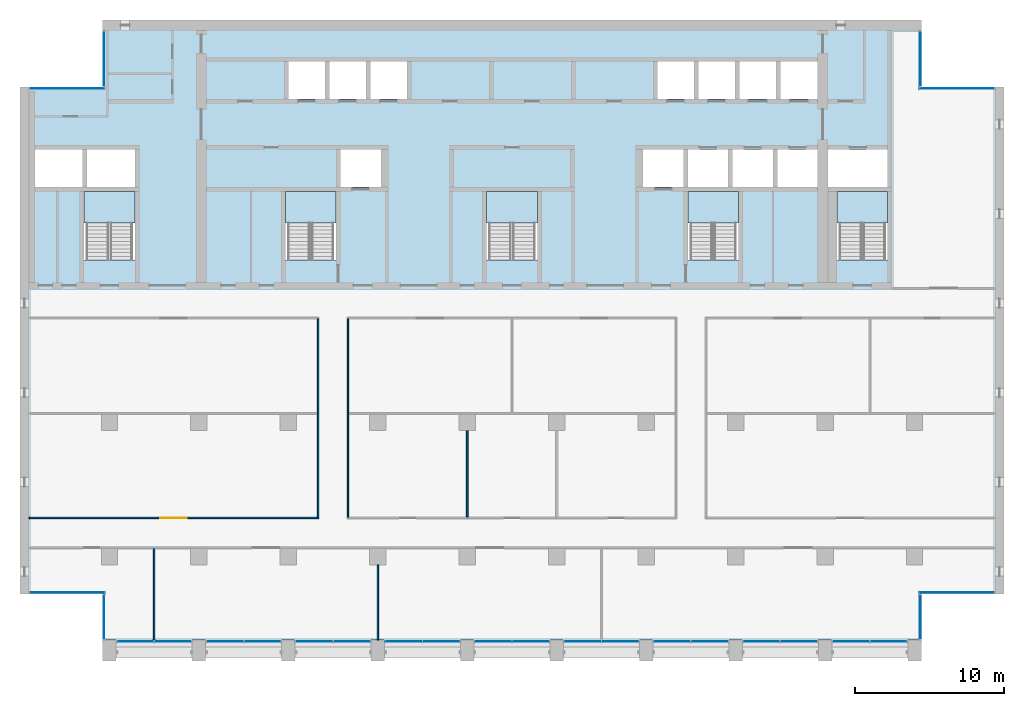
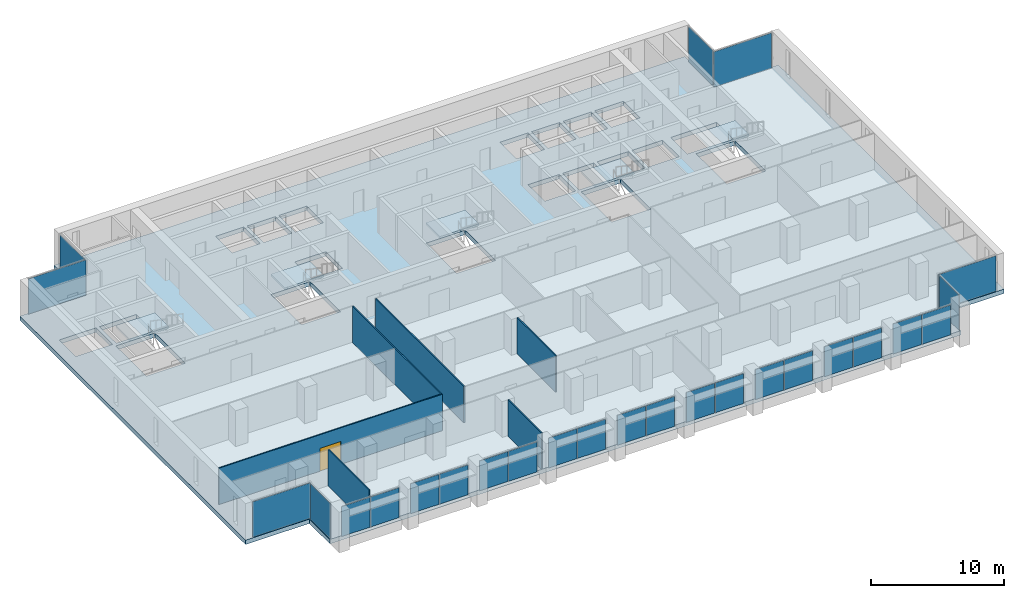
# One storey, part 7 of 17: 26 plates, 6 slabs, 6 walls, 1 door, 1 opening, 22 elements without a shape of their own.
"""IFC4 building model written with IfcOpenShell, lengths in metres."""

from ifc_helpers import new_model, si_unit, direction, frame, frame_2d, origin, origin_2d, place, context, subcontext, project, spatial, polyline, rectangle, outline, extrude, material, layer, layer_set, type_object, element, fill, aggregate, save


model = new_model("IFC4")

# Units and contexts
model_context = context("Model", 3, precision=1e-05, world=origin(), true_north=direction((0.0, 1.0)))
body_context = subcontext(model_context, "Body", "Model", "MODEL_VIEW")
ifc_project = project(units=[si_unit("LENGTHUNIT", "METRE"), si_unit("AREAUNIT", "SQUARE_METRE"), si_unit("VOLUMEUNIT", "CUBIC_METRE"), si_unit("PLANEANGLEUNIT", "RADIAN"), si_unit("MASSUNIT", "GRAM", prefix="KILO")], contexts=[model_context])

# Site, building, storey
site_placement = place(None, origin())
site = spatial("IfcSite", under=ifc_project, at=site_placement, CompositionType="ELEMENT")
building_placement = place(site_placement, origin())
building = spatial("IfcBuilding", under=site, at=building_placement, Name="Calvaro Tower", CompositionType="ELEMENT")
storey_placement = place(building_placement, frame((0.0, 0.0, 189.25)))
storey = spatial("IfcBuildingStorey", under=building, at=storey_placement, Name="L47", CompositionType="ELEMENT", Elevation=189.25)

# Slab
ifc_material_1 = material(Name="Concrete C40/50", Category="concrete")
ifc_layer_1 = layer(ifc_material_1, 0.39990234375)
ifc_layer_set_1 = layer_set([ifc_layer_1], Name="Concrete C40/50")
slab_type_1 = type_object("IfcSlabType", Name="Floor slab 400 C40/50", PredefinedType="FLOOR", material=ifc_layer_set_1)
slab_1_placement = place(storey_placement, frame((0.0, 0.0, -0.39990234375)))
element("IfcSlab", 1, at=slab_1_placement, inside=storey, type_object=slab_type_1, Name="Floor slab", PredefinedType="FLOOR", context=body_context, shape_type="SweptSolid", body=[
    extrude(outline(polyline([(66.449951171875, 7.5), (66.449951171875, 4.39990234375), (11.550048828125, 4.39990234375), (11.550048828125, 7.5), (6.0, 7.5), (6.0, 41.5), (11.550048828125, 41.5), (11.550048828125, 46.0), (66.449951171875, 46.0), (66.449951171875, 41.5), (72.0, 41.5), (72.0, 7.5), (66.449951171875, 7.5)]), holes=[polyline([(10.300048828125, 29.909912109375), (10.300048828125, 34.5), (12.0, 34.5), (13.699951171875, 34.5), (13.699951171875, 29.909912109375), (12.0, 29.909912109375), (10.300048828125, 29.909912109375)]), polyline([(23.800048828125, 29.909912109375), (23.800048828125, 34.5), (25.5, 34.5), (27.199951171875, 34.5), (27.199951171875, 29.909912109375), (25.5, 29.909912109375), (23.800048828125, 29.909912109375)]), polyline([(37.300048828125, 29.909912109375), (37.300048828125, 34.5), (39.0, 34.5), (40.699951171875, 34.5), (40.699951171875, 29.909912109375), (39.0, 29.909912109375), (37.300048828125, 29.909912109375)]), polyline([(50.800048828125, 29.909912109375), (50.800048828125, 34.5), (52.5, 34.5), (54.199951171875, 34.5), (54.199951171875, 29.909912109375), (52.5, 29.909912109375), (50.800048828125, 29.909912109375)]), polyline([(60.800048828125, 29.909912109375), (60.800048828125, 34.5), (62.5, 34.5), (64.199951171875, 34.5), (64.199951171875, 29.909912109375), (62.5, 29.909912109375), (60.800048828125, 29.909912109375)]), polyline([(50.800048828125, 34.800048828125), (53.5, 34.800048828125), (53.5, 37.300048828125), (50.800048828125, 37.300048828125), (50.800048828125, 34.800048828125)]), polyline([(53.800048828125, 34.800048828125), (56.5, 34.800048828125), (56.5, 37.300048828125), (53.800048828125, 37.300048828125), (53.800048828125, 34.800048828125)]), polyline([(56.800048828125, 34.800048828125), (59.5, 34.800048828125), (59.5, 37.300048828125), (56.800048828125, 37.300048828125), (56.800048828125, 34.800048828125)]), polyline([(24.0, 40.699951171875), (26.449951171875, 40.699951171875), (26.449951171875, 43.199951171875), (24.0, 43.199951171875), (24.0, 40.699951171875)]), polyline([(26.75, 40.699951171875), (29.199951171875, 40.699951171875), (29.199951171875, 43.199951171875), (26.75, 43.199951171875), (26.75, 40.699951171875)]), polyline([(29.5, 40.699951171875), (31.949951171875, 40.699951171875), (31.949951171875, 43.199951171875), (29.5, 43.199951171875), (29.5, 40.699951171875)]), polyline([(48.75, 40.699951171875), (51.199951171875, 40.699951171875), (51.199951171875, 43.199951171875), (48.75, 43.199951171875), (48.75, 40.699951171875)]), polyline([(51.5, 40.699951171875), (53.949951171875, 40.699951171875), (53.949951171875, 43.199951171875), (51.5, 43.199951171875), (51.5, 40.699951171875)]), polyline([(54.25, 40.699951171875), (56.699951171875, 40.699951171875), (56.699951171875, 43.199951171875), (54.25, 43.199951171875), (54.25, 40.699951171875)]), polyline([(57.0, 40.699951171875), (59.5, 40.699951171875), (59.5, 43.199951171875), (57.0, 43.199951171875), (57.0, 40.699951171875)]), polyline([(7.0, 34.800048828125), (10.199951171875, 34.800048828125), (10.199951171875, 37.300048828125), (7.0, 37.300048828125), (7.0, 34.800048828125)]), polyline([(10.5, 34.800048828125), (13.699951171875, 34.800048828125), (13.699951171875, 37.300048828125), (10.5, 37.300048828125), (10.5, 34.800048828125)]), polyline([(60.199951171875, 34.800048828125), (64.199951171875, 34.800048828125), (64.199951171875, 37.300048828125), (60.199951171875, 37.300048828125), (60.199951171875, 34.800048828125)]), polyline([(27.5, 34.800048828125), (30.199951171875, 34.800048828125), (30.199951171875, 37.300048828125), (27.5, 37.300048828125), (27.5, 34.800048828125)]), polyline([(47.800048828125, 34.800048828125), (50.5, 34.800048828125), (50.5, 37.300048828125), (47.800048828125, 37.300048828125), (47.800048828125, 34.800048828125)])]), origin(), (0.0, 0.0, 1.0), 0.39990234375),
])

# Curtain wall, plates
ifc_material_2 = material(Name="Anodised aluminium", Category="aluminium")
curtain_wall_type = type_object("IfcCurtainWallType", Name="Office curtain wall, upper zone", PredefinedType="NOTDEFINED", material=ifc_material_2)
curtain_wall_1_placement = place(storey_placement, origin())
curtain_wall_1 = element("IfcCurtainWall", 2, at=curtain_wall_1_placement, inside=storey, type_object=curtain_wall_type, Name="CW3 south curtain wall", PredefinedType="NOTDEFINED")
ifc_material_3 = material(Name="Glass", Category="glass")
ifc_layer_2 = layer(ifc_material_3, 0.035888671875)
ifc_layer_set_2 = layer_set([ifc_layer_2], Name="Glass")
plate_type = type_object("IfcPlateType", Name="Glass panel S3 36", PredefinedType="CURTAIN_PANEL", material=ifc_layer_set_2)
plate_1_placement = place(storey_placement, frame((13.739990234375, 4.31005859375, 0.0), z_axis=(0.0, 0.0, 1.0), x_axis=(1.0, 0.0, 0.0)))
plate_1 = element("IfcPlate", 3, at=plate_1_placement, type_object=plate_type, Name="CW3 glass panel 1.1", PredefinedType="CURTAIN_PANEL", context=body_context, shape_type="SweptSolid", body=[
    extrude(rectangle(XDim=2.4599609375, YDim=0.035888671875, at=origin_2d()), origin(), (0.0, 0.0, 1.0), 2.75),
])
plate_2_placement = place(storey_placement, frame((16.260009765625, 4.31005859375, 0.0), z_axis=(0.0, 0.0, 1.0), x_axis=(1.0, 0.0, 0.0)))
plate_2 = element("IfcPlate", 4, at=plate_2_placement, type_object=plate_type, Name="CW3 glass panel 2.1", PredefinedType="CURTAIN_PANEL", context=body_context, shape_type="SweptSolid", body=[
    extrude(rectangle(XDim=2.4599609375, YDim=0.035888671875, at=origin_2d()), origin(), (0.0, 0.0, 1.0), 2.75),
])
aggregate(curtain_wall_1, [plate_1, plate_2])

curtain_wall_2_placement = place(storey_placement, origin())
curtain_wall_2 = element("IfcCurtainWall", 5, at=curtain_wall_2_placement, inside=storey, type_object=curtain_wall_type, Name="CW3 south curtain wall", PredefinedType="NOTDEFINED")
plate_3_placement = place(storey_placement, frame((19.739990234375, 4.31005859375, 0.0), z_axis=(0.0, 0.0, 1.0), x_axis=(1.0, 0.0, 0.0)))
plate_3 = element("IfcPlate", 6, at=plate_3_placement, type_object=plate_type, Name="CW3 glass panel 1.1", PredefinedType="CURTAIN_PANEL", context=body_context, shape_type="SweptSolid", body=[
    extrude(rectangle(XDim=2.4599609375, YDim=0.035888671875, at=origin_2d()), origin(), (0.0, 0.0, 1.0), 2.75),
])
plate_4_placement = place(storey_placement, frame((22.260009765625, 4.31005859375, 0.0), z_axis=(0.0, 0.0, 1.0), x_axis=(1.0, 0.0, 0.0)))
plate_4 = element("IfcPlate", 7, at=plate_4_placement, type_object=plate_type, Name="CW3 glass panel 2.1", PredefinedType="CURTAIN_PANEL", context=body_context, shape_type="SweptSolid", body=[
    extrude(rectangle(XDim=2.4599609375, YDim=0.035888671875, at=origin_2d()), origin(), (0.0, 0.0, 1.0), 2.75),
])
aggregate(curtain_wall_2, [plate_3, plate_4])

curtain_wall_3_placement = place(storey_placement, origin())
curtain_wall_3 = element("IfcCurtainWall", 8, at=curtain_wall_3_placement, inside=storey, type_object=curtain_wall_type, Name="CW3 south curtain wall", PredefinedType="NOTDEFINED")
plate_5_placement = place(storey_placement, frame((25.739990234375, 4.31005859375, 0.0), z_axis=(0.0, 0.0, 1.0), x_axis=(1.0, 0.0, 0.0)))
plate_5 = element("IfcPlate", 9, at=plate_5_placement, type_object=plate_type, Name="CW3 glass panel 1.1", PredefinedType="CURTAIN_PANEL", context=body_context, shape_type="SweptSolid", body=[
    extrude(rectangle(XDim=2.4599609375, YDim=0.035888671875, at=origin_2d()), origin(), (0.0, 0.0, 1.0), 2.75),
])
plate_6_placement = place(storey_placement, frame((28.260009765625, 4.31005859375, 0.0), z_axis=(0.0, 0.0, 1.0), x_axis=(1.0, 0.0, 0.0)))
plate_6 = element("IfcPlate", 10, at=plate_6_placement, type_object=plate_type, Name="CW3 glass panel 2.1", PredefinedType="CURTAIN_PANEL", context=body_context, shape_type="SweptSolid", body=[
    extrude(rectangle(XDim=2.4599609375, YDim=0.035888671875, at=origin_2d()), origin(), (0.0, 0.0, 1.0), 2.75),
])
aggregate(curtain_wall_3, [plate_5, plate_6])

curtain_wall_4_placement = place(storey_placement, origin())
curtain_wall_4 = element("IfcCurtainWall", 11, at=curtain_wall_4_placement, inside=storey, type_object=curtain_wall_type, Name="CW3 south curtain wall", PredefinedType="NOTDEFINED")
plate_7_placement = place(storey_placement, frame((31.739990234375, 4.31005859375, 0.0), z_axis=(0.0, 0.0, 1.0), x_axis=(1.0, 0.0, 0.0)))
plate_7 = element("IfcPlate", 12, at=plate_7_placement, type_object=plate_type, Name="CW3 glass panel 1.1", PredefinedType="CURTAIN_PANEL", context=body_context, shape_type="SweptSolid", body=[
    extrude(rectangle(XDim=2.4599609375, YDim=0.035888671875, at=origin_2d()), origin(), (0.0, 0.0, 1.0), 2.75),
])
plate_8_placement = place(storey_placement, frame((34.260009765625, 4.31005859375, 0.0), z_axis=(0.0, 0.0, 1.0), x_axis=(1.0, 0.0, 0.0)))
plate_8 = element("IfcPlate", 13, at=plate_8_placement, type_object=plate_type, Name="CW3 glass panel 2.1", PredefinedType="CURTAIN_PANEL", context=body_context, shape_type="SweptSolid", body=[
    extrude(rectangle(XDim=2.4599609375, YDim=0.035888671875, at=origin_2d()), origin(), (0.0, 0.0, 1.0), 2.75),
])
aggregate(curtain_wall_4, [plate_7, plate_8])

curtain_wall_5_placement = place(storey_placement, origin())
curtain_wall_5 = element("IfcCurtainWall", 14, at=curtain_wall_5_placement, inside=storey, type_object=curtain_wall_type, Name="CW3 south curtain wall", PredefinedType="NOTDEFINED")
plate_9_placement = place(storey_placement, frame((37.739990234375, 4.31005859375, 0.0), z_axis=(0.0, 0.0, 1.0), x_axis=(1.0, 0.0, 0.0)))
plate_9 = element("IfcPlate", 15, at=plate_9_placement, type_object=plate_type, Name="CW3 glass panel 1.1", PredefinedType="CURTAIN_PANEL", context=body_context, shape_type="SweptSolid", body=[
    extrude(rectangle(XDim=2.4599609375, YDim=0.035888671875, at=origin_2d()), origin(), (0.0, 0.0, 1.0), 2.75),
])
plate_10_placement = place(storey_placement, frame((40.260009765625, 4.31005859375, 0.0), z_axis=(0.0, 0.0, 1.0), x_axis=(1.0, 0.0, 0.0)))
plate_10 = element("IfcPlate", 16, at=plate_10_placement, type_object=plate_type, Name="CW3 glass panel 2.1", PredefinedType="CURTAIN_PANEL", context=body_context, shape_type="SweptSolid", body=[
    extrude(rectangle(XDim=2.4599609375, YDim=0.035888671875, at=origin_2d()), origin(), (0.0, 0.0, 1.0), 2.75),
])
aggregate(curtain_wall_5, [plate_9, plate_10])

curtain_wall_6_placement = place(storey_placement, origin())
curtain_wall_6 = element("IfcCurtainWall", 17, at=curtain_wall_6_placement, inside=storey, type_object=curtain_wall_type, Name="CW3 south curtain wall", PredefinedType="NOTDEFINED")
plate_11_placement = place(storey_placement, frame((43.739990234375, 4.31005859375, 0.0), z_axis=(0.0, 0.0, 1.0), x_axis=(1.0, 0.0, 0.0)))
plate_11 = element("IfcPlate", 18, at=plate_11_placement, type_object=plate_type, Name="CW3 glass panel 1.1", PredefinedType="CURTAIN_PANEL", context=body_context, shape_type="SweptSolid", body=[
    extrude(rectangle(XDim=2.4599609375, YDim=0.035888671875, at=origin_2d()), origin(), (0.0, 0.0, 1.0), 2.75),
])
plate_12_placement = place(storey_placement, frame((46.260009765625, 4.31005859375, 0.0), z_axis=(0.0, 0.0, 1.0), x_axis=(1.0, 0.0, 0.0)))
plate_12 = element("IfcPlate", 19, at=plate_12_placement, type_object=plate_type, Name="CW3 glass panel 2.1", PredefinedType="CURTAIN_PANEL", context=body_context, shape_type="SweptSolid", body=[
    extrude(rectangle(XDim=2.4599609375, YDim=0.035888671875, at=origin_2d()), origin(), (0.0, 0.0, 1.0), 2.75),
])
aggregate(curtain_wall_6, [plate_11, plate_12])

curtain_wall_7_placement = place(storey_placement, origin())
curtain_wall_7 = element("IfcCurtainWall", 20, at=curtain_wall_7_placement, inside=storey, type_object=curtain_wall_type, Name="CW3 south curtain wall", PredefinedType="NOTDEFINED")
plate_13_placement = place(storey_placement, frame((49.739990234375, 4.31005859375, 0.0), z_axis=(0.0, 0.0, 1.0), x_axis=(1.0, 0.0, 0.0)))
plate_13 = element("IfcPlate", 21, at=plate_13_placement, type_object=plate_type, Name="CW3 glass panel 1.1", PredefinedType="CURTAIN_PANEL", context=body_context, shape_type="SweptSolid", body=[
    extrude(rectangle(XDim=2.4599609375, YDim=0.035888671875, at=origin_2d()), origin(), (0.0, 0.0, 1.0), 2.75),
])
plate_14_placement = place(storey_placement, frame((52.260009765625, 4.31005859375, 0.0), z_axis=(0.0, 0.0, 1.0), x_axis=(1.0, 0.0, 0.0)))
plate_14 = element("IfcPlate", 22, at=plate_14_placement, type_object=plate_type, Name="CW3 glass panel 2.1", PredefinedType="CURTAIN_PANEL", context=body_context, shape_type="SweptSolid", body=[
    extrude(rectangle(XDim=2.4599609375, YDim=0.035888671875, at=origin_2d()), origin(), (0.0, 0.0, 1.0), 2.75),
])
aggregate(curtain_wall_7, [plate_13, plate_14])

curtain_wall_8_placement = place(storey_placement, origin())
curtain_wall_8 = element("IfcCurtainWall", 23, at=curtain_wall_8_placement, inside=storey, type_object=curtain_wall_type, Name="CW3 south curtain wall", PredefinedType="NOTDEFINED")
plate_15_placement = place(storey_placement, frame((55.739990234375, 4.31005859375, 0.0), z_axis=(0.0, 0.0, 1.0), x_axis=(1.0, 0.0, 0.0)))
plate_15 = element("IfcPlate", 24, at=plate_15_placement, type_object=plate_type, Name="CW3 glass panel 1.1", PredefinedType="CURTAIN_PANEL", context=body_context, shape_type="SweptSolid", body=[
    extrude(rectangle(XDim=2.4599609375, YDim=0.035888671875, at=origin_2d()), origin(), (0.0, 0.0, 1.0), 2.75),
])
plate_16_placement = place(storey_placement, frame((58.260009765625, 4.31005859375, 0.0), z_axis=(0.0, 0.0, 1.0), x_axis=(1.0, 0.0, 0.0)))
plate_16 = element("IfcPlate", 25, at=plate_16_placement, type_object=plate_type, Name="CW3 glass panel 2.1", PredefinedType="CURTAIN_PANEL", context=body_context, shape_type="SweptSolid", body=[
    extrude(rectangle(XDim=2.4599609375, YDim=0.035888671875, at=origin_2d()), origin(), (0.0, 0.0, 1.0), 2.75),
])
aggregate(curtain_wall_8, [plate_15, plate_16])

curtain_wall_9_placement = place(storey_placement, origin())
curtain_wall_9 = element("IfcCurtainWall", 26, at=curtain_wall_9_placement, inside=storey, type_object=curtain_wall_type, Name="CW3 south curtain wall", PredefinedType="NOTDEFINED")
plate_17_placement = place(storey_placement, frame((61.739990234375, 4.31005859375, 0.0), z_axis=(0.0, 0.0, 1.0), x_axis=(1.0, 0.0, 0.0)))
plate_17 = element("IfcPlate", 27, at=plate_17_placement, type_object=plate_type, Name="CW3 glass panel 1.1", PredefinedType="CURTAIN_PANEL", context=body_context, shape_type="SweptSolid", body=[
    extrude(rectangle(XDim=2.4599609375, YDim=0.035888671875, at=origin_2d()), origin(), (0.0, 0.0, 1.0), 2.75),
])
plate_18_placement = place(storey_placement, frame((64.260009765625, 4.31005859375, 0.0), z_axis=(0.0, 0.0, 1.0), x_axis=(1.0, 0.0, 0.0)))
plate_18 = element("IfcPlate", 28, at=plate_18_placement, type_object=plate_type, Name="CW3 glass panel 2.1", PredefinedType="CURTAIN_PANEL", context=body_context, shape_type="SweptSolid", body=[
    extrude(rectangle(XDim=2.4599609375, YDim=0.035888671875, at=origin_2d()), origin(), (0.0, 0.0, 1.0), 2.75),
])
aggregate(curtain_wall_9, [plate_17, plate_18])

# Curtain wall, plate
curtain_wall_10_placement = place(storey_placement, origin())
curtain_wall_10 = element("IfcCurtainWall", 29, at=curtain_wall_10_placement, inside=storey, type_object=curtain_wall_type, Name="CW3 corner curtain wall", PredefinedType="NOTDEFINED")
plate_19_placement = place(storey_placement, frame((11.639892578125, 5.949951171875, 0.0), z_axis=(0.0, 0.0, 1.0), x_axis=(0.0, 1.0, 0.0)))
plate_19 = element("IfcPlate", 30, at=plate_19_placement, type_object=plate_type, Name="CW3 glass panel 1.1", PredefinedType="CURTAIN_PANEL", context=body_context, shape_type="SweptSolid", body=[
    extrude(rectangle(XDim=2.97998046875, YDim=0.035888671875, at=origin_2d()), origin(), (0.0, 0.0, 1.0), 3.25),
])
aggregate(curtain_wall_10, [plate_19])

curtain_wall_11_placement = place(storey_placement, origin())
curtain_wall_11 = element("IfcCurtainWall", 31, at=curtain_wall_11_placement, inside=storey, type_object=curtain_wall_type, Name="CW3 corner curtain wall", PredefinedType="NOTDEFINED")
plate_20_placement = place(storey_placement, frame((9.1650390625, 7.590087890625, 0.0), z_axis=(0.0, 0.0, 1.0), x_axis=(1.0, 0.0, 0.0)))
plate_20 = element("IfcPlate", 32, at=plate_20_placement, type_object=plate_type, Name="CW3 glass panel 1.1", PredefinedType="CURTAIN_PANEL", context=body_context, shape_type="SweptSolid", body=[
    extrude(rectangle(XDim=5.010009765625, YDim=0.035888671875, at=origin_2d()), origin(), (0.0, 0.0, 1.0), 3.25),
])
aggregate(curtain_wall_11, [plate_20])

curtain_wall_12_placement = place(storey_placement, origin())
curtain_wall_12 = element("IfcCurtainWall", 33, at=curtain_wall_12_placement, inside=storey, type_object=curtain_wall_type, Name="CW3 corner curtain wall", PredefinedType="NOTDEFINED")
plate_21_placement = place(storey_placement, frame((11.639892578125, 43.39990234375, 0.0), z_axis=(0.0, 0.0, 1.0), x_axis=(0.0, 1.0, 0.0)))
plate_21 = element("IfcPlate", 34, at=plate_21_placement, type_object=plate_type, Name="CW3 glass panel 1.1", PredefinedType="CURTAIN_PANEL", context=body_context, shape_type="SweptSolid", body=[
    extrude(rectangle(XDim=3.679931640625, YDim=0.035888671875, at=origin_2d()), origin(), (0.0, 0.0, 1.0), 3.25),
])
aggregate(curtain_wall_12, [plate_21])

curtain_wall_13_placement = place(storey_placement, origin())
curtain_wall_13 = element("IfcCurtainWall", 35, at=curtain_wall_13_placement, inside=storey, type_object=curtain_wall_type, Name="CW3 corner curtain wall", PredefinedType="NOTDEFINED")
plate_22_placement = place(storey_placement, frame((9.1650390625, 41.409912109375, 0.0), z_axis=(0.0, 0.0, 1.0), x_axis=(1.0, 0.0, 0.0)))
plate_22 = element("IfcPlate", 36, at=plate_22_placement, type_object=plate_type, Name="CW3 glass panel 1.1", PredefinedType="CURTAIN_PANEL", context=body_context, shape_type="SweptSolid", body=[
    extrude(rectangle(XDim=5.010009765625, YDim=0.035888671875, at=origin_2d()), origin(), (0.0, 0.0, 1.0), 3.25),
])
aggregate(curtain_wall_13, [plate_22])

curtain_wall_14_placement = place(storey_placement, origin())
curtain_wall_14 = element("IfcCurtainWall", 37, at=curtain_wall_14_placement, inside=storey, type_object=curtain_wall_type, Name="CW3 corner curtain wall", PredefinedType="NOTDEFINED")
plate_23_placement = place(storey_placement, frame((66.360107421875, 5.949951171875, 0.0), z_axis=(0.0, 0.0, 1.0), x_axis=(0.0, 1.0, 0.0)))
plate_23 = element("IfcPlate", 38, at=plate_23_placement, type_object=plate_type, Name="CW3 glass panel 1.1", PredefinedType="CURTAIN_PANEL", context=body_context, shape_type="SweptSolid", body=[
    extrude(rectangle(XDim=2.97998046875, YDim=0.035888671875, at=origin_2d()), origin(), (0.0, 0.0, 1.0), 3.25),
])
aggregate(curtain_wall_14, [plate_23])

curtain_wall_15_placement = place(storey_placement, origin())
curtain_wall_15 = element("IfcCurtainWall", 39, at=curtain_wall_15_placement, inside=storey, type_object=curtain_wall_type, Name="CW3 corner curtain wall", PredefinedType="NOTDEFINED")
plate_24_placement = place(storey_placement, frame((68.8349609375, 7.590087890625, 0.0), z_axis=(0.0, 0.0, 1.0), x_axis=(1.0, 0.0, 0.0)))
plate_24 = element("IfcPlate", 40, at=plate_24_placement, type_object=plate_type, Name="CW3 glass panel 1.1", PredefinedType="CURTAIN_PANEL", context=body_context, shape_type="SweptSolid", body=[
    extrude(rectangle(XDim=5.010009765625, YDim=0.035888671875, at=origin_2d()), origin(), (0.0, 0.0, 1.0), 3.25),
])
aggregate(curtain_wall_15, [plate_24])

curtain_wall_16_placement = place(storey_placement, origin())
curtain_wall_16 = element("IfcCurtainWall", 41, at=curtain_wall_16_placement, inside=storey, type_object=curtain_wall_type, Name="CW3 corner curtain wall", PredefinedType="NOTDEFINED")
plate_25_placement = place(storey_placement, frame((66.360107421875, 43.39990234375, 0.0), z_axis=(0.0, 0.0, 1.0), x_axis=(0.0, 1.0, 0.0)))
plate_25 = element("IfcPlate", 42, at=plate_25_placement, type_object=plate_type, Name="CW3 glass panel 1.1", PredefinedType="CURTAIN_PANEL", context=body_context, shape_type="SweptSolid", body=[
    extrude(rectangle(XDim=3.679931640625, YDim=0.035888671875, at=origin_2d()), origin(), (0.0, 0.0, 1.0), 3.25),
])
aggregate(curtain_wall_16, [plate_25])

curtain_wall_17_placement = place(storey_placement, origin())
curtain_wall_17 = element("IfcCurtainWall", 43, at=curtain_wall_17_placement, inside=storey, type_object=curtain_wall_type, Name="CW3 corner curtain wall", PredefinedType="NOTDEFINED")
plate_26_placement = place(storey_placement, frame((68.8349609375, 41.409912109375, 0.0), z_axis=(0.0, 0.0, 1.0), x_axis=(1.0, 0.0, 0.0)))
plate_26 = element("IfcPlate", 44, at=plate_26_placement, type_object=plate_type, Name="CW3 glass panel 1.1", PredefinedType="CURTAIN_PANEL", context=body_context, shape_type="SweptSolid", body=[
    extrude(rectangle(XDim=5.010009765625, YDim=0.035888671875, at=origin_2d()), origin(), (0.0, 0.0, 1.0), 3.25),
])
aggregate(curtain_wall_17, [plate_26])

# Stair, slab
ifc_material_4 = material(Name="Concrete C40/50", Category="concrete")
stair_type = type_object("IfcStairType", Name="Exit stair 1400 2 flights", PredefinedType="HALF_TURN_STAIR", material=ifc_material_4)
stair_1_placement = place(storey_placement, origin())
stair_1 = element("IfcStair", 45, at=stair_1_placement, inside=storey, type_object=stair_type, Name="Exit stair S1", PredefinedType="HALF_TURN_STAIR")
ifc_material_5 = material(Name="Concrete C40/50", Category="concrete")
ifc_layer_3 = layer(ifc_material_5, 0.199951171875)
ifc_layer_set_3 = layer_set([ifc_layer_3], Name="Concrete C40/50")
slab_type_2 = type_object("IfcSlabType", Name="Stair landing", PredefinedType="LANDING", material=ifc_layer_set_3)
slab_2_placement = place(storey_placement, frame((0.0, 0.0, 1.675048828125)))
slab_2 = element("IfcSlab", 46, at=slab_2_placement, type_object=slab_type_2, Name="Exit stair 1, landing 1", PredefinedType="LANDING", context=body_context, shape_type="SweptSolid", body=[
    extrude(outline(polyline([(11.89990234375, 32.389892578125), (10.5, 32.389892578125), (10.5, 32.39990234375), (10.300048828125, 32.39990234375), (10.300048828125, 34.5), (10.5, 34.5), (11.89990234375, 34.5), (12.10009765625, 34.5), (13.5, 34.5), (13.699951171875, 34.5), (13.699951171875, 32.39990234375), (13.5, 32.39990234375), (13.5, 32.389892578125), (12.10009765625, 32.389892578125), (12.10009765625, 32.39990234375), (11.89990234375, 32.39990234375), (11.89990234375, 32.389892578125)])), origin(), (0.0, 0.0, 1.0), 0.199951171875),
])
aggregate(stair_1, [slab_2])

stair_2_placement = place(storey_placement, origin())
stair_2 = element("IfcStair", 47, at=stair_2_placement, inside=storey, type_object=stair_type, Name="Exit stair S2", PredefinedType="HALF_TURN_STAIR")
slab_3_placement = place(storey_placement, frame((0.0, 0.0, 1.675048828125)))
slab_3 = element("IfcSlab", 48, at=slab_3_placement, type_object=slab_type_2, Name="Exit stair 2, landing 1", PredefinedType="LANDING", context=body_context, shape_type="SweptSolid", body=[
    extrude(outline(polyline([(25.39990234375, 32.389892578125), (24.0, 32.389892578125), (24.0, 32.39990234375), (23.800048828125, 32.39990234375), (23.800048828125, 34.5), (24.0, 34.5), (25.39990234375, 34.5), (25.60009765625, 34.5), (27.0, 34.5), (27.199951171875, 34.5), (27.199951171875, 32.39990234375), (27.0, 32.39990234375), (27.0, 32.389892578125), (25.60009765625, 32.389892578125), (25.60009765625, 32.39990234375), (25.39990234375, 32.39990234375), (25.39990234375, 32.389892578125)])), origin(), (0.0, 0.0, 1.0), 0.199951171875),
])
aggregate(stair_2, [slab_3])

stair_3_placement = place(storey_placement, origin())
stair_3 = element("IfcStair", 49, at=stair_3_placement, inside=storey, type_object=stair_type, Name="Exit stair S3", PredefinedType="HALF_TURN_STAIR")
slab_4_placement = place(storey_placement, frame((0.0, 0.0, 1.675048828125)))
slab_4 = element("IfcSlab", 50, at=slab_4_placement, type_object=slab_type_2, Name="Exit stair 3, landing 1", PredefinedType="LANDING", context=body_context, shape_type="SweptSolid", body=[
    extrude(outline(polyline([(38.89990234375, 32.389892578125), (37.5, 32.389892578125), (37.5, 32.39990234375), (37.300048828125, 32.39990234375), (37.300048828125, 34.5), (37.5, 34.5), (38.89990234375, 34.5), (39.10009765625, 34.5), (40.5, 34.5), (40.699951171875, 34.5), (40.699951171875, 32.39990234375), (40.5, 32.39990234375), (40.5, 32.389892578125), (39.10009765625, 32.389892578125), (39.10009765625, 32.39990234375), (38.89990234375, 32.39990234375), (38.89990234375, 32.389892578125)])), origin(), (0.0, 0.0, 1.0), 0.199951171875),
])
aggregate(stair_3, [slab_4])

stair_4_placement = place(storey_placement, origin())
stair_4 = element("IfcStair", 51, at=stair_4_placement, inside=storey, type_object=stair_type, Name="Exit stair S4", PredefinedType="HALF_TURN_STAIR")
slab_5_placement = place(storey_placement, frame((0.0, 0.0, 1.675048828125)))
slab_5 = element("IfcSlab", 52, at=slab_5_placement, type_object=slab_type_2, Name="Exit stair 4, landing 1", PredefinedType="LANDING", context=body_context, shape_type="SweptSolid", body=[
    extrude(outline(polyline([(52.39990234375, 32.389892578125), (51.0, 32.389892578125), (51.0, 32.39990234375), (50.800048828125, 32.39990234375), (50.800048828125, 34.5), (51.0, 34.5), (52.39990234375, 34.5), (52.60009765625, 34.5), (54.0, 34.5), (54.199951171875, 34.5), (54.199951171875, 32.39990234375), (54.0, 32.39990234375), (54.0, 32.389892578125), (52.60009765625, 32.389892578125), (52.60009765625, 32.39990234375), (52.39990234375, 32.39990234375), (52.39990234375, 32.389892578125)])), origin(), (0.0, 0.0, 1.0), 0.199951171875),
])
aggregate(stair_4, [slab_5])

stair_5_placement = place(storey_placement, origin())
stair_5 = element("IfcStair", 53, at=stair_5_placement, inside=storey, type_object=stair_type, Name="Exit stair S5", PredefinedType="HALF_TURN_STAIR")
slab_6_placement = place(storey_placement, frame((0.0, 0.0, 1.675048828125)))
slab_6 = element("IfcSlab", 54, at=slab_6_placement, type_object=slab_type_2, Name="Exit stair 5, landing 1", PredefinedType="LANDING", context=body_context, shape_type="SweptSolid", body=[
    extrude(outline(polyline([(62.39990234375, 32.389892578125), (61.0, 32.389892578125), (61.0, 32.39990234375), (60.800048828125, 32.39990234375), (60.800048828125, 34.5), (61.0, 34.5), (62.39990234375, 34.5), (62.60009765625, 34.5), (64.0, 34.5), (64.199951171875, 34.5), (64.199951171875, 32.39990234375), (64.0, 32.39990234375), (64.0, 32.389892578125), (62.60009765625, 32.389892578125), (62.60009765625, 32.39990234375), (62.39990234375, 32.39990234375), (62.39990234375, 32.389892578125)])), origin(), (0.0, 0.0, 1.0), 0.199951171875),
])
aggregate(stair_5, [slab_6])

# Wall, opening, door
ifc_material_6 = material(Name="Plasterboard on steel studs", Category="steel")
ifc_layer_4 = layer(ifc_material_6, 0.10009765625)
ifc_layer_set_4 = layer_set([ifc_layer_4], Name="Plasterboard on steel studs")
wall_type = type_object("IfcWallType", Name="Partition 100", PredefinedType="PARTITIONING", material=ifc_layer_set_4)
wall_1_placement = place(storey_placement, frame((6.60009765625, 12.60009765625, 0.0), z_axis=(0.0, 0.0, 1.0), x_axis=(1.0, 0.0, 0.0)))
wall_1 = element("IfcWall", 55, at=wall_1_placement, inside=storey, type_object=wall_type, Name="Partition T27.W002", PredefinedType="PARTITIONING", context=body_context, shape_type="SweptSolid", body=[
    extrude(rectangle(XDim=19.449951171875, YDim=0.10009765625, at=frame_2d((9.72509765625, 0.0))), origin(), (0.0, 0.0, 1.0), 3.35009765625),
])
opening_placement = place(wall_1_placement, frame((8.800048828125, 0.0, 0.0)))
opening = element("IfcOpeningElement", 56, at=opening_placement, cuts=wall_1, Name="Opening T27.005", PredefinedType="OPENING", context=body_context, shape_type="SweptSolid", body=[
    extrude(rectangle(XDim=1.800048828125, YDim=2.10009765625, at=frame_2d((0.89990234375, 1.050048828125))), frame((0.0, 0.06005859375, 0.0), z_axis=(0.0, -1.0, 0.0), x_axis=(1.0, 0.0, 0.0)), (0.0, 0.0, 1.0), 0.1201171875),
])
ifc_material_7 = material(Name="Timber", Category="wood")
door_type = type_object("IfcDoorType", Name="Internal double door 1800 x 2100", OperationType="DOUBLE_DOOR_SINGLE_SWING", PredefinedType="DOOR", material=ifc_material_7)
door_placement = place(opening_placement, origin())
door = element("IfcDoor", 57, at=door_placement, inside=storey, type_object=door_type, Name="Door T27.005", OperationType="DOUBLE_DOOR_SINGLE_SWING", OverallHeight=2.10009765625, OverallWidth=1.800048828125, PredefinedType="DOOR", context=body_context, shape_type="SweptSolid", body=[
    extrude(rectangle(XDim=1.800048828125, YDim=2.10009765625, at=frame_2d((0.89990234375, 1.050048828125))), frame((0.0, 0.02490234375, 0.0), z_axis=(0.0, -1.0, 0.0), x_axis=(1.0, 0.0, 0.0)), (0.0, 0.0, 1.0), 0.050048828125),
])
fill(opening, door)

# Walls
wall_2_placement = place(storey_placement, frame((15.0, 4.39990234375, 0.0), z_axis=(0.0, 0.0, 1.0), x_axis=(0.0, 1.0, 0.0)))
element("IfcWall", 58, at=wall_2_placement, inside=storey, type_object=wall_type, Name="Partition T27.W012", PredefinedType="PARTITIONING", context=body_context, shape_type="SweptSolid", body=[
    extrude(rectangle(XDim=6.150146484375, YDim=0.10009765625, at=frame_2d((3.0751953125, 0.0))), origin(), (0.0, 0.0, 1.0), 3.35009765625),
])
for number, where, z_axis, x_axis, name in (
    (59, (26.0, 12.64990234375, 0.0), (0.0, 0.0, 1.0), (0.0, 1.0, 0.0), "Partition T27.W013"),
    (60, (28.0, 12.64990234375, 0.0), (0.0, 0.0, 1.0), (0.0, 1.0, 0.0), "Partition T27.W014"),
):
    element("IfcWall", number, at=place(storey_placement, frame(where, z_axis=z_axis, x_axis=x_axis)), inside=storey, type_object=wall_type, Name=name, PredefinedType="PARTITIONING", context=body_context, shape_type="SweptSolid", body=[
        extrude(rectangle(XDim=13.300048828125, YDim=0.10009765625, at=frame_2d((6.64990234375, 0.0))), origin(), (0.0, 0.0, 1.0), 3.35009765625),
    ])
wall_3_placement = place(storey_placement, frame((30.0, 4.39990234375, 0.0), z_axis=(0.0, 0.0, 1.0), x_axis=(0.0, 1.0, 0.0)))
element("IfcWall", 61, at=wall_3_placement, inside=storey, type_object=wall_type, Name="Partition T27.W015", PredefinedType="PARTITIONING", context=body_context, shape_type="SweptSolid", body=[
    extrude(rectangle(XDim=5.050048828125, YDim=0.10009765625, at=frame_2d((2.52490234375, 0.0))), origin(), (0.0, 0.0, 1.0), 3.35009765625),
])
wall_4_placement = place(storey_placement, frame((36.0, 12.64990234375, 0.0), z_axis=(0.0, 0.0, 1.0), x_axis=(0.0, 1.0, 0.0)))
element("IfcWall", 62, at=wall_4_placement, inside=storey, type_object=wall_type, Name="Partition T27.W016", PredefinedType="PARTITIONING", context=body_context, shape_type="SweptSolid", body=[
    extrude(rectangle(XDim=5.800048828125, YDim=0.10009765625, at=frame_2d((2.89990234375, 0.0))), origin(), (0.0, 0.0, 1.0), 3.35009765625),
])

save(model, "model.ifc")
